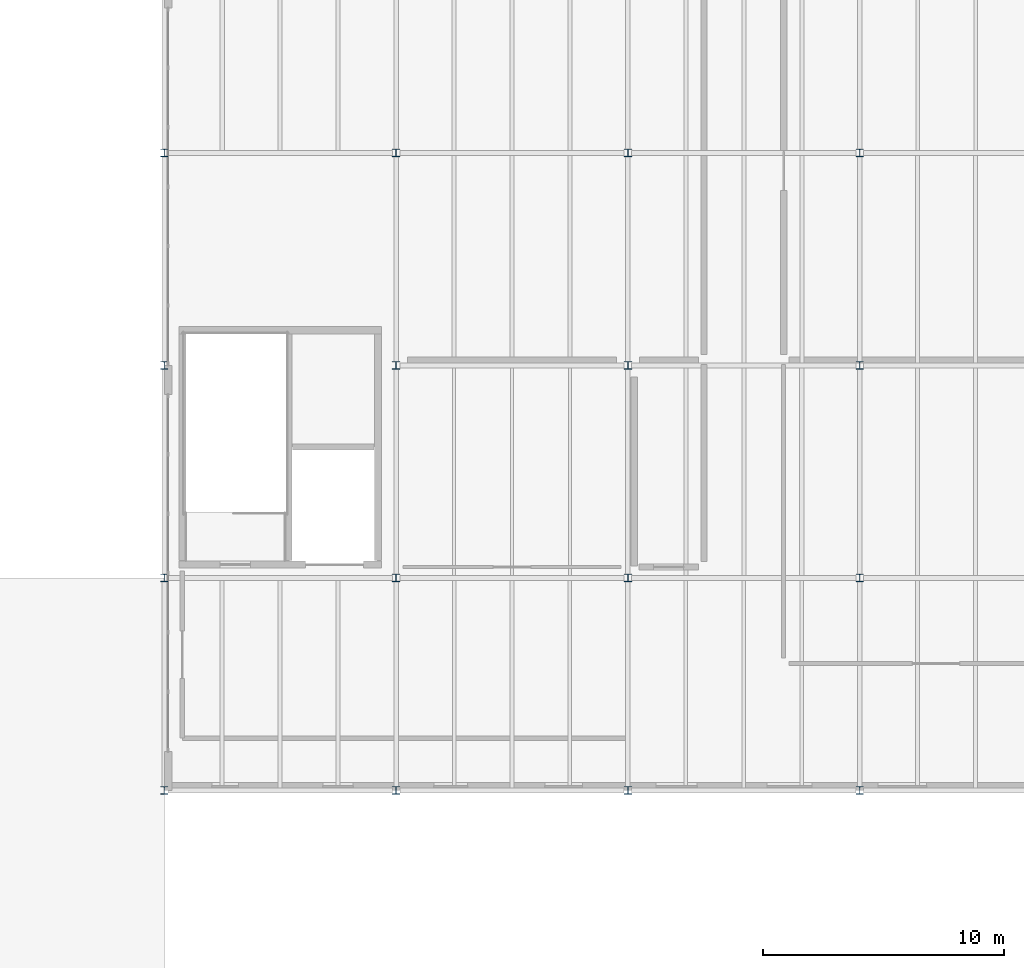
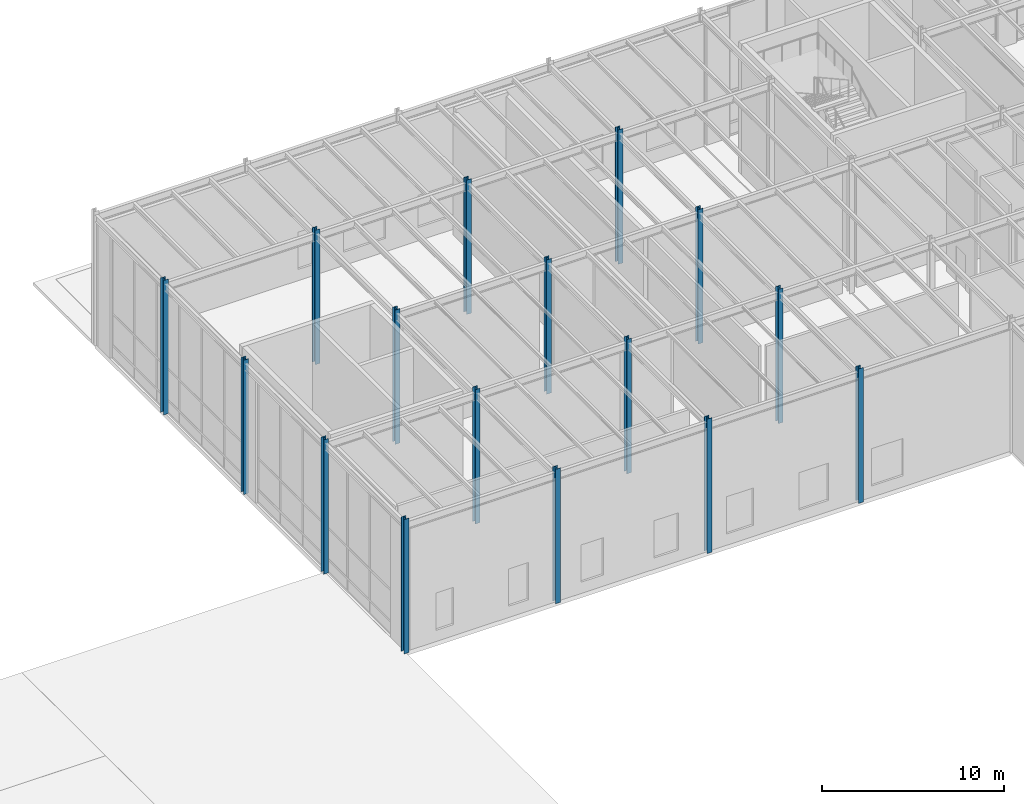
# One storey, part 1 of 48: 16 columns.
"""IFC4 building model written with IfcOpenShell, lengths in metres."""

import ifcopenshell
import ifcopenshell.guid

model = None  # the IFC model being written
_history = None  # IfcOwnerHistory: only IFC2X3 demands one
_inside = {}  # id of a spatial element -> (the spatial element, [elements in it])
_under = {}  # id of a project, library or spatial element -> (it, [spatial elements below it])
_declared = {}  # id of a project -> (the project, [libraries it declares])
_typed = {}  # id of a type object -> (the type object, [elements of that type])
_made_of = {}  # id of a material, layer set ... -> (it, [elements and type objects made of it])


def new_model(schema):
    """Start an empty IFC model of exactly this schema.

    Asked for "IFC4X3", IfcOpenShell would pick the latest addendum, in which some entities
    have other attributes; the version numbers below select the first issue.
    IFC2X3 requires an IfcOwnerHistory on every rooted entity: one is made here for all.
    """
    global model, _history
    if schema == "IFC4X3":
        model = ifcopenshell.file(schema_version=(4, 3, 0, 0))
    else:
        model = ifcopenshell.file(schema=schema)
    _inside.clear()
    _under.clear()
    _declared.clear()
    _typed.clear()
    _made_of.clear()
    _history = None
    if model.schema == "IFC2X3":
        org = make("IfcOrganization", Name="unknown")
        user = make(
            "IfcPersonAndOrganization",
            ThePerson=make("IfcPerson", FamilyName="unknown"),
            TheOrganization=org,
        )
        app = make(
            "IfcApplication",
            ApplicationDeveloper=org,
            Version="unknown",
            ApplicationFullName="unknown",
            ApplicationIdentifier="unknown",
        )
        _history = make(
            "IfcOwnerHistory",
            OwningUser=user,
            OwningApplication=app,
            ChangeAction="ADDED",
            CreationDate=0,
        )
    return model


def make(cls, **values):
    """One entity of the class cls with the attributes given. An attribute that is None is left unset."""
    return model.create_entity(
        cls, **{name: value for name, value in values.items() if value is not None}
    )


def rooted(cls, **values):
    """An entity with a GlobalId (a new one), such as an element, a storey or a relation."""
    return make(cls, GlobalId=ifcopenshell.guid.new(), OwnerHistory=_history, **values)


def si_unit(unit_type, name, prefix=None):
    """IfcSIUnit, for example si_unit("LENGTHUNIT", "METRE", prefix="MILLI")."""
    return make("IfcSIUnit", UnitType=unit_type, Prefix=prefix, Name=name)


def assignment(units):
    """IfcUnitAssignment: the units of a project."""
    return None if units is None else make("IfcUnitAssignment", Units=units)


def point(xyz):
    """IfcCartesianPoint."""
    return None if xyz is None else make("IfcCartesianPoint", Coordinates=xyz)


def direction(xyz):
    """IfcDirection."""
    return None if xyz is None else make("IfcDirection", DirectionRatios=xyz)


def frame(location, z_axis=None, x_axis=None):
    """IfcAxis2Placement3D, a coordinate frame: its origin and axes. An axis left out is left unset."""
    return make(
        "IfcAxis2Placement3D",
        Location=point(location),
        Axis=direction(z_axis),
        RefDirection=direction(x_axis),
    )


def frame_2d(location, x_axis=None):
    """IfcAxis2Placement2D, a coordinate frame in the plane: its origin and x axis."""
    return make(
        "IfcAxis2Placement2D", Location=point(location), RefDirection=direction(x_axis)
    )


def origin():
    """The frame at (0, 0, 0) with its axes left unset."""
    return frame((0.0, 0.0, 0.0))


def origin_2d():
    """The frame at (0, 0) in the plane with its x axis left unset."""
    return frame_2d((0.0, 0.0))


def place(relative_to, where):
    """IfcLocalPlacement: puts the frame where relative to a parent placement (None: the world)."""
    return make(
        "IfcLocalPlacement", PlacementRelTo=relative_to, RelativePlacement=where
    )


def context(
    kind, dimensions, precision=None, world=None, true_north=None, identifier=None
):
    """IfcGeometricRepresentationContext, for example the 3D "Model" context."""
    return make(
        "IfcGeometricRepresentationContext",
        ContextIdentifier=identifier,
        ContextType=kind,
        CoordinateSpaceDimension=dimensions,
        Precision=precision,
        WorldCoordinateSystem=world,
        TrueNorth=true_north,
    )


def subcontext(parent, identifier, kind, view, scale=None):
    """IfcGeometricRepresentationSubContext, for example "Body" below "Model"."""
    return make(
        "IfcGeometricRepresentationSubContext",
        ContextIdentifier=identifier,
        ContextType=kind,
        ParentContext=parent,
        TargetScale=scale,
        TargetView=view,
    )


def project(units=None, contexts=None):
    """IfcProject with its units and contexts."""
    return rooted(
        "IfcProject",
        Name="project",
        RepresentationContexts=contexts,
        UnitsInContext=assignment(units),
    )


def spatial(cls, under=None, at=None, **own):
    """A site, building, storey or space (cls), placed at a placement, below another one or the project."""
    s = rooted(cls, ObjectPlacement=at, **own)
    if under is not None:
        _under.setdefault(under.id(), (under, []))[1].append(s)
    return s


def profile(cls, at=None, kind="AREA", **sizes):
    """A parametric profile (cls). Its sizes go by their IFC names, for example OverallWidth=200.0."""
    return make(cls, ProfileType=kind, Position=at, **sizes)


def i_section(**sizes):
    """IfcIShapeProfileDef."""
    return profile("IfcIShapeProfileDef", **sizes)


def extrude(swept, where, along, depth):
    """IfcExtrudedAreaSolid: the profile swept, set in the frame where, extruded along a direction by depth."""
    return make(
        "IfcExtrudedAreaSolid",
        SweptArea=swept,
        Position=where,
        ExtrudedDirection=direction(along),
        Depth=depth,
    )


def shape(context_of_items, identifier, shape_type, items):
    """IfcShapeRepresentation: the items that make up one representation, for example the "Body"."""
    return make(
        "IfcShapeRepresentation",
        ContextOfItems=context_of_items,
        RepresentationIdentifier=identifier,
        RepresentationType=shape_type,
        Items=items,
    )


def material(Name=None, Category=None):
    """IfcMaterial."""
    return make("IfcMaterial", Name=Name, Category=Category)


def material_profile(
    of_material, cross_section, Name=None, Category=None, Priority=None
):
    """IfcMaterialProfile: a cross section and its material."""
    return make(
        "IfcMaterialProfile",
        Name=Name,
        Material=of_material,
        Profile=cross_section,
        Priority=Priority,
        Category=Category,
    )


def profile_set(profiles, Name=None, composite=None):
    """IfcMaterialProfileSet."""
    return make(
        "IfcMaterialProfileSet",
        Name=Name,
        MaterialProfiles=profiles,
        CompositeProfile=composite,
    )


def made_of(thing, what):
    """Note that an element or type object is made of a material, layer set ...; save() writes the relation."""
    if what is not None:
        _made_of.setdefault(what.id(), (what, []))[1].append(thing)
    return thing


def type_object(cls, material=None, **own):
    """A type object (cls), such as IfcWallType, which elements share."""
    return made_of(rooted(cls, **own), material)


def element(
    cls,
    number,
    at=None,
    inside=None,
    cuts=None,
    type_object=None,
    material=None,
    context=None,
    identifier="Body",
    shape_type=None,
    held_by="IfcProductDefinitionShape",
    body=None,
    shapes=None,
    **own,
):
    """One element of the class cls, such as IfcWall. Its Tag is "e" and its number.

    at: its placement. inside: the storey or other place that contains it. cuts: it is an
    opening in that element (IfcRelVoidsElement). A single representation is given by context,
    identifier, shape_type and body (its items); several are given by shapes. held_by: the class
    of the entity that holds the representations. save() writes the other relations.
    """
    e = rooted(cls, Tag="e%d" % number, ObjectPlacement=at, **own)
    if body is not None:
        shapes = [shape(context, identifier, shape_type, body)]
    if shapes is not None:
        e.Representation = make(held_by, Representations=shapes)
    if inside is not None:
        _inside.setdefault(inside.id(), (inside, []))[1].append(e)
    if cuts is not None:
        rooted(
            "IfcRelVoidsElement", RelatingBuildingElement=cuts, RelatedOpeningElement=e
        )
    if type_object is not None:
        _typed.setdefault(type_object.id(), (type_object, []))[1].append(e)
    return made_of(e, material)


def aggregate(whole, parts):
    """IfcRelAggregates: a whole, such as a stair, and the parts it consists of."""
    return rooted("IfcRelAggregates", RelatingObject=whole, RelatedObjects=parts)


def save(model, path):
    """Write the relations noted so far, then the file.

    IfcRelAggregates (storeys below a building ...), IfcRelContainedInSpatialStructure (elements
    in a storey), IfcRelDefinesByType, IfcRelAssociatesMaterial and IfcRelDeclares: one each for
    every whole, place, type object, material and project.
    """
    for whole, parts in _under.values():
        aggregate(whole, parts)
    for where, things in _inside.values():
        rooted(
            "IfcRelContainedInSpatialStructure",
            RelatedElements=things,
            RelatingStructure=where,
        )
    for kind, things in _typed.values():
        rooted("IfcRelDefinesByType", RelatedObjects=things, RelatingType=kind)
    for what, things in _made_of.values():
        rooted("IfcRelAssociatesMaterial", RelatedObjects=things, RelatingMaterial=what)
    for by, libraries in _declared.values():
        rooted("IfcRelDeclares", RelatingContext=by, RelatedDefinitions=libraries)
    model.write(path)


model = new_model("IFC4")

# Units and contexts
model_context = context("Model", 3, precision=1e-05, world=origin(), true_north=direction((0.0, 1.0)))
body_context = subcontext(model_context, "Body", "Model", "MODEL_VIEW")
ifc_project = project(units=[si_unit("LENGTHUNIT", "METRE"), si_unit("AREAUNIT", "SQUARE_METRE"), si_unit("VOLUMEUNIT", "CUBIC_METRE"), si_unit("PLANEANGLEUNIT", "RADIAN"), si_unit("MASSUNIT", "GRAM", prefix="KILO")], contexts=[model_context])

# Site, building, storey
site_placement = place(None, origin())
site = spatial("IfcSite", under=ifc_project, at=site_placement, CompositionType="ELEMENT")
building_placement = place(site_placement, origin())
building = spatial("IfcBuilding", under=site, at=building_placement, Name="Sarnbrook Museum", CompositionType="ELEMENT")
storey_placement = place(building_placement, frame((0.0, 0.0, 19.10009765625)))
storey = spatial("IfcBuildingStorey", under=building, at=storey_placement, Name="L04", CompositionType="ELEMENT", Elevation=19.10009765625)

# Columns
ifc_material = material(Name="Structural Steel Grade 300PLUS (AS/NZS 3679.1, fy = 280 MPa for 17 < t <= 40 mm, 300 MPa for t <= 17 mm)", Category="steel")
ifc_material_profile = material_profile(ifc_material, i_section(OverallWidth=0.306884765625, OverallDepth=0.31494140625, WebThickness=0.011962890625, FlangeThickness=0.018798828125, FilletRadius=0.0166015625, at=origin_2d()), Name="310UC118")
ifc_profile_set = profile_set([ifc_material_profile], Name="Structural Steel Grade 300PLUS (AS/NZS 3679.1, fy = 280 MPa for 17 < t <= 40 mm, 300 MPa for t <= 17 mm)")
column_type = type_object("IfcColumnType", Name="COL-UC310", PredefinedType="COLUMN", material=ifc_profile_set)
for number, where, z_axis, x_axis, name in (
    (1, (42.39990234375, 74.39990234375, 0.0), (0.0, 0.0, 1.0), (1.0, 0.0, 0.0), "Column 5-J L04"),
    (2, (42.39990234375, 83.199951171875, 0.0), (0.0, 0.0, 1.0), (1.0, 0.0, 0.0), "Column 5-K L04"),
    (3, (42.39990234375, 92.0, 0.0), (0.0, 0.0, 1.0), (1.0, 0.0, 0.0), "Column 5-L L04"),
    (4, (42.39990234375, 100.800048828125, 0.0), (0.0, 0.0, 1.0), (1.0, 0.0, 0.0), "Column 5-M L04"),
    (5, (52.0, 74.39990234375, 0.0), (0.0, 0.0, 1.0), (1.0, 0.0, 0.0), "Column 6-J L04"),
    (6, (52.0, 83.199951171875, 0.0), (0.0, 0.0, 1.0), (1.0, 0.0, 0.0), "Column 6-K L04"),
    (7, (52.0, 92.0, 0.0), (0.0, 0.0, 1.0), (1.0, 0.0, 0.0), "Column 6-L L04"),
    (8, (52.0, 100.800048828125, 0.0), (0.0, 0.0, 1.0), (1.0, 0.0, 0.0), "Column 6-M L04"),
    (9, (61.60009765625, 74.39990234375, 0.0), (0.0, 0.0, 1.0), (1.0, 0.0, 0.0), "Column 7-J L04"),
    (10, (61.60009765625, 83.199951171875, 0.0), (0.0, 0.0, 1.0), (1.0, 0.0, 0.0), "Column 7-K L04"),
    (11, (61.60009765625, 92.0, 0.0), (0.0, 0.0, 1.0), (1.0, 0.0, 0.0), "Column 7-L L04"),
    (12, (61.60009765625, 100.800048828125, 0.0), (0.0, 0.0, 1.0), (1.0, 0.0, 0.0), "Column 7-M L04"),
    (13, (71.199951171875, 74.39990234375, 0.0), (0.0, 0.0, 1.0), (1.0, 0.0, 0.0), "Column 8-J L04"),
    (14, (71.199951171875, 83.199951171875, 0.0), (0.0, 0.0, 1.0), (1.0, 0.0, 0.0), "Column 8-K L04"),
    (15, (71.199951171875, 92.0, 0.0), (0.0, 0.0, 1.0), (1.0, 0.0, 0.0), "Column 8-L L04"),
    (16, (71.199951171875, 100.800048828125, 0.0), (0.0, 0.0, 1.0), (1.0, 0.0, 0.0), "Column 8-M L04"),
):
    element("IfcColumn", number, at=place(storey_placement, frame(where, z_axis=z_axis, x_axis=x_axis)), inside=storey, type_object=column_type, Name=name, PredefinedType="COLUMN", context=body_context, shape_type="SweptSolid", body=[
        extrude(i_section(OverallWidth=0.306884765625, OverallDepth=0.31494140625, WebThickness=0.011962890625, FlangeThickness=0.018798828125, FilletRadius=0.0166015625, at=origin_2d()), origin(), (0.0, 0.0, 1.0), 9.0),
    ])

save(model, "model.ifc")
